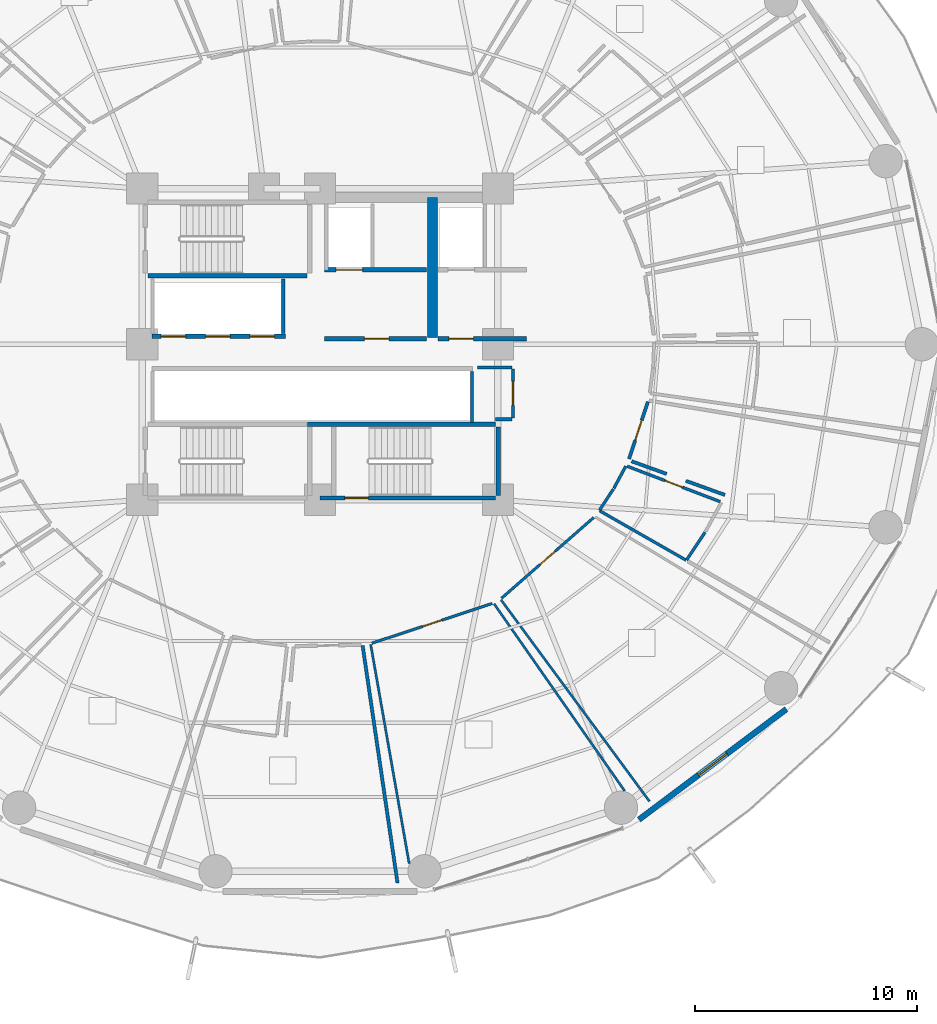
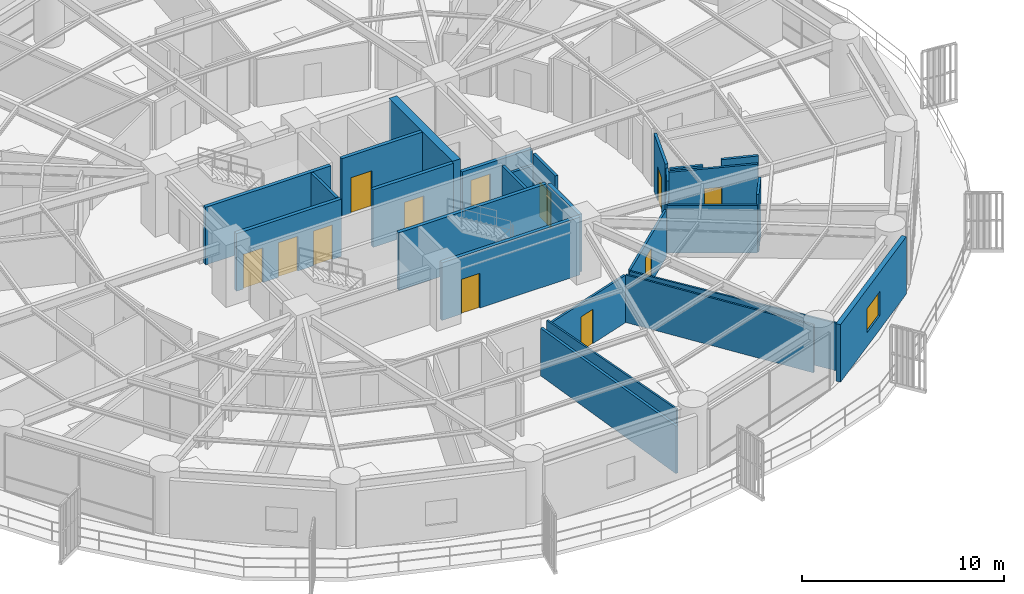
# One storey, part 24 of 33: 29 walls, 12 doors, 1 window, 13 openings.
"""IFC4 building model written with IfcOpenShell, lengths in metres."""

import ifcopenshell
import ifcopenshell.guid

model = None  # the IFC model being written
_history = None  # IfcOwnerHistory: only IFC2X3 demands one
_inside = {}  # id of a spatial element -> (the spatial element, [elements in it])
_under = {}  # id of a project, library or spatial element -> (it, [spatial elements below it])
_declared = {}  # id of a project -> (the project, [libraries it declares])
_typed = {}  # id of a type object -> (the type object, [elements of that type])
_made_of = {}  # id of a material, layer set ... -> (it, [elements and type objects made of it])


def new_model(schema):
    """Start an empty IFC model of exactly this schema.

    Asked for "IFC4X3", IfcOpenShell would pick the latest addendum, in which some entities
    have other attributes; the version numbers below select the first issue.
    IFC2X3 requires an IfcOwnerHistory on every rooted entity: one is made here for all.
    """
    global model, _history
    if schema == "IFC4X3":
        model = ifcopenshell.file(schema_version=(4, 3, 0, 0))
    else:
        model = ifcopenshell.file(schema=schema)
    _inside.clear()
    _under.clear()
    _declared.clear()
    _typed.clear()
    _made_of.clear()
    _history = None
    if model.schema == "IFC2X3":
        org = make("IfcOrganization", Name="unknown")
        user = make(
            "IfcPersonAndOrganization",
            ThePerson=make("IfcPerson", FamilyName="unknown"),
            TheOrganization=org,
        )
        app = make(
            "IfcApplication",
            ApplicationDeveloper=org,
            Version="unknown",
            ApplicationFullName="unknown",
            ApplicationIdentifier="unknown",
        )
        _history = make(
            "IfcOwnerHistory",
            OwningUser=user,
            OwningApplication=app,
            ChangeAction="ADDED",
            CreationDate=0,
        )
    return model


def make(cls, **values):
    """One entity of the class cls with the attributes given. An attribute that is None is left unset."""
    return model.create_entity(
        cls, **{name: value for name, value in values.items() if value is not None}
    )


def rooted(cls, **values):
    """An entity with a GlobalId (a new one), such as an element, a storey or a relation."""
    return make(cls, GlobalId=ifcopenshell.guid.new(), OwnerHistory=_history, **values)


def si_unit(unit_type, name, prefix=None):
    """IfcSIUnit, for example si_unit("LENGTHUNIT", "METRE", prefix="MILLI")."""
    return make("IfcSIUnit", UnitType=unit_type, Prefix=prefix, Name=name)


def assignment(units):
    """IfcUnitAssignment: the units of a project."""
    return None if units is None else make("IfcUnitAssignment", Units=units)


def point(xyz):
    """IfcCartesianPoint."""
    return None if xyz is None else make("IfcCartesianPoint", Coordinates=xyz)


def direction(xyz):
    """IfcDirection."""
    return None if xyz is None else make("IfcDirection", DirectionRatios=xyz)


def frame(location, z_axis=None, x_axis=None):
    """IfcAxis2Placement3D, a coordinate frame: its origin and axes. An axis left out is left unset."""
    return make(
        "IfcAxis2Placement3D",
        Location=point(location),
        Axis=direction(z_axis),
        RefDirection=direction(x_axis),
    )


def frame_2d(location, x_axis=None):
    """IfcAxis2Placement2D, a coordinate frame in the plane: its origin and x axis."""
    return make(
        "IfcAxis2Placement2D", Location=point(location), RefDirection=direction(x_axis)
    )


def origin():
    """The frame at (0, 0, 0) with its axes left unset."""
    return frame((0.0, 0.0, 0.0))


def place(relative_to, where):
    """IfcLocalPlacement: puts the frame where relative to a parent placement (None: the world)."""
    return make(
        "IfcLocalPlacement", PlacementRelTo=relative_to, RelativePlacement=where
    )


def context(
    kind, dimensions, precision=None, world=None, true_north=None, identifier=None
):
    """IfcGeometricRepresentationContext, for example the 3D "Model" context."""
    return make(
        "IfcGeometricRepresentationContext",
        ContextIdentifier=identifier,
        ContextType=kind,
        CoordinateSpaceDimension=dimensions,
        Precision=precision,
        WorldCoordinateSystem=world,
        TrueNorth=true_north,
    )


def subcontext(parent, identifier, kind, view, scale=None):
    """IfcGeometricRepresentationSubContext, for example "Body" below "Model"."""
    return make(
        "IfcGeometricRepresentationSubContext",
        ContextIdentifier=identifier,
        ContextType=kind,
        ParentContext=parent,
        TargetScale=scale,
        TargetView=view,
    )


def project(units=None, contexts=None):
    """IfcProject with its units and contexts."""
    return rooted(
        "IfcProject",
        Name="project",
        RepresentationContexts=contexts,
        UnitsInContext=assignment(units),
    )


def spatial(cls, under=None, at=None, **own):
    """A site, building, storey or space (cls), placed at a placement, below another one or the project."""
    s = rooted(cls, ObjectPlacement=at, **own)
    if under is not None:
        _under.setdefault(under.id(), (under, []))[1].append(s)
    return s


def profile(cls, at=None, kind="AREA", **sizes):
    """A parametric profile (cls). Its sizes go by their IFC names, for example OverallWidth=200.0."""
    return make(cls, ProfileType=kind, Position=at, **sizes)


def rectangle(**sizes):
    """IfcRectangleProfileDef."""
    return profile("IfcRectangleProfileDef", **sizes)


def extrude(swept, where, along, depth):
    """IfcExtrudedAreaSolid: the profile swept, set in the frame where, extruded along a direction by depth."""
    return make(
        "IfcExtrudedAreaSolid",
        SweptArea=swept,
        Position=where,
        ExtrudedDirection=direction(along),
        Depth=depth,
    )


def shape(context_of_items, identifier, shape_type, items):
    """IfcShapeRepresentation: the items that make up one representation, for example the "Body"."""
    return make(
        "IfcShapeRepresentation",
        ContextOfItems=context_of_items,
        RepresentationIdentifier=identifier,
        RepresentationType=shape_type,
        Items=items,
    )


def material(Name=None, Category=None):
    """IfcMaterial."""
    return make("IfcMaterial", Name=Name, Category=Category)


def layer(
    of_material, thickness, ventilated=None, Name=None, Category=None, Priority=None
):
    """IfcMaterialLayer: one layer of a wall or slab, of a material (None: an air gap)."""
    return make(
        "IfcMaterialLayer",
        Material=of_material,
        LayerThickness=thickness,
        IsVentilated=ventilated,
        Name=Name,
        Category=Category,
        Priority=Priority,
    )


def layer_set(layers, Name=None):
    """IfcMaterialLayerSet."""
    return make("IfcMaterialLayerSet", MaterialLayers=layers, LayerSetName=Name)


def made_of(thing, what):
    """Note that an element or type object is made of a material, layer set ...; save() writes the relation."""
    if what is not None:
        _made_of.setdefault(what.id(), (what, []))[1].append(thing)
    return thing


def type_object(cls, material=None, **own):
    """A type object (cls), such as IfcWallType, which elements share."""
    return made_of(rooted(cls, **own), material)


def element(
    cls,
    number,
    at=None,
    inside=None,
    cuts=None,
    type_object=None,
    material=None,
    context=None,
    identifier="Body",
    shape_type=None,
    held_by="IfcProductDefinitionShape",
    body=None,
    shapes=None,
    **own,
):
    """One element of the class cls, such as IfcWall. Its Tag is "e" and its number.

    at: its placement. inside: the storey or other place that contains it. cuts: it is an
    opening in that element (IfcRelVoidsElement). A single representation is given by context,
    identifier, shape_type and body (its items); several are given by shapes. held_by: the class
    of the entity that holds the representations. save() writes the other relations.
    """
    e = rooted(cls, Tag="e%d" % number, ObjectPlacement=at, **own)
    if body is not None:
        shapes = [shape(context, identifier, shape_type, body)]
    if shapes is not None:
        e.Representation = make(held_by, Representations=shapes)
    if inside is not None:
        _inside.setdefault(inside.id(), (inside, []))[1].append(e)
    if cuts is not None:
        rooted(
            "IfcRelVoidsElement", RelatingBuildingElement=cuts, RelatedOpeningElement=e
        )
    if type_object is not None:
        _typed.setdefault(type_object.id(), (type_object, []))[1].append(e)
    return made_of(e, material)


def fill(opening, filler):
    """IfcRelFillsElement: the door or window that sits in an opening."""
    return rooted(
        "IfcRelFillsElement",
        RelatingOpeningElement=opening,
        RelatedBuildingElement=filler,
    )


def aggregate(whole, parts):
    """IfcRelAggregates: a whole, such as a stair, and the parts it consists of."""
    return rooted("IfcRelAggregates", RelatingObject=whole, RelatedObjects=parts)


def save(model, path):
    """Write the relations noted so far, then the file.

    IfcRelAggregates (storeys below a building ...), IfcRelContainedInSpatialStructure (elements
    in a storey), IfcRelDefinesByType, IfcRelAssociatesMaterial and IfcRelDeclares: one each for
    every whole, place, type object, material and project.
    """
    for whole, parts in _under.values():
        aggregate(whole, parts)
    for where, things in _inside.values():
        rooted(
            "IfcRelContainedInSpatialStructure",
            RelatedElements=things,
            RelatingStructure=where,
        )
    for kind, things in _typed.values():
        rooted("IfcRelDefinesByType", RelatedObjects=things, RelatingType=kind)
    for what, things in _made_of.values():
        rooted("IfcRelAssociatesMaterial", RelatedObjects=things, RelatingMaterial=what)
    for by, libraries in _declared.values():
        rooted("IfcRelDeclares", RelatingContext=by, RelatedDefinitions=libraries)
    model.write(path)


model = new_model("IFC4")

# Units and contexts
model_context = context("Model", 3, precision=1e-05, world=origin(), true_north=direction((0.0, 1.0)))
body_context = subcontext(model_context, "Body", "Model", "MODEL_VIEW")
ifc_project = project(units=[si_unit("LENGTHUNIT", "METRE"), si_unit("AREAUNIT", "SQUARE_METRE"), si_unit("VOLUMEUNIT", "CUBIC_METRE"), si_unit("PLANEANGLEUNIT", "RADIAN"), si_unit("MASSUNIT", "GRAM", prefix="KILO")], contexts=[model_context])

# Site, building, storey
site_placement = place(None, origin())
site = spatial("IfcSite", under=ifc_project, at=site_placement, CompositionType="ELEMENT")
building_placement = place(site_placement, origin())
building = spatial("IfcBuilding", under=site, at=building_placement, Name="Kelanora Arch Commons", CompositionType="ELEMENT")
storey_placement = place(building_placement, frame((0.0, 0.0, 41.25)))
storey = spatial("IfcBuildingStorey", under=building, at=storey_placement, Name="L10", CompositionType="ELEMENT", Elevation=41.25)

# Walls
ifc_material_1 = material(Name="Autoclaved aerated concrete blockwork with fire plaster", Category="masonry")
ifc_layer_1 = layer(ifc_material_1, 0.14990234375)
ifc_layer_set_1 = layer_set([ifc_layer_1], Name="Autoclaved aerated concrete blockwork with fire plaster")
wall_type_1 = type_object("IfcWallType", Name="W-COMP-150", PredefinedType="PARTITIONING", material=ifc_layer_set_1)
wall_1_placement = place(storey_placement, frame((72.340087890625, 58.47998046875, 0.0), z_axis=(0.0, 0.0, 1.0), x_axis=(0.0, 1.0, 0.0)))
element("IfcWall", 1, at=wall_1_placement, inside=storey, type_object=wall_type_1, Name="Low-Rise Lift Bank East Wall L10", PredefinedType="PARTITIONING", context=body_context, shape_type="SweptSolid", body=[
    extrude(rectangle(XDim=2.4599609375, YDim=0.14990234375, at=frame_2d((1.22998046875, 0.0))), origin(), (0.0, 0.0, 1.0), 3.47998046875),
])
wall_2_placement = place(storey_placement, frame((80.840087890625, 54.47998046875, 0.0), z_axis=(0.0, 0.0, 1.0), x_axis=(0.0, 1.0, 0.0)))
element("IfcWall", 2, at=wall_2_placement, inside=storey, type_object=wall_type_1, Name="South Lift Bank East Wall L10", PredefinedType="PARTITIONING", context=body_context, shape_type="SweptSolid", body=[
    extrude(rectangle(XDim=2.2900390625, YDim=0.14990234375, at=frame_2d((1.14501953125, 0.0))), origin(), (0.0, 0.0, 1.0), 3.47998046875),
])

# Wall, opening, door
wall_3_placement = place(storey_placement, frame((82.679931640625, 54.679931640625, 0.0), z_axis=(0.0, 0.0, 1.0), x_axis=(0.0, 1.0, 0.0)))
wall_3 = element("IfcWall", 3, at=wall_3_placement, inside=storey, type_object=wall_type_1, Name="Core Housekeeping Store L10 Entry Partition", PredefinedType="PARTITIONING", context=body_context, shape_type="SweptSolid", body=[
    extrude(rectangle(XDim=2.2099609375, YDim=0.14990234375, at=frame_2d((1.10498046875, 0.0))), origin(), (0.0, 0.0, 1.0), 3.47998046875),
])
opening_1_placement = place(wall_3_placement, frame((0.56494140625, 0.0, 0.0)))
opening_1 = element("IfcOpeningElement", 4, at=opening_1_placement, cuts=wall_3, Name="Opening D-PLT1", PredefinedType="OPENING", context=body_context, shape_type="SweptSolid", body=[
    extrude(rectangle(XDim=1.080078125, YDim=2.10009765625, at=frame_2d((0.5400390625, 1.050048828125))), frame((0.0, 0.0849609375, 0.0), z_axis=(0.0, -1.0, 0.0), x_axis=(1.0, 0.0, 0.0)), (0.0, 0.0, 1.0), 0.169921875),
])
ifc_material_2 = material(Name="Galvanised steel plant and riser fire door", Category="steel")
door_type_1 = type_object("IfcDoorType", Name="D-PLT-110", OperationType="NOTDEFINED", PredefinedType="DOOR", material=ifc_material_2)
door_1_placement = place(opening_1_placement, origin())
door_1 = element("IfcDoor", 5, at=door_1_placement, inside=storey, type_object=door_type_1, Name="Core Housekeeping Store L10 Door", OperationType="SINGLE_SWING_RIGHT", OverallHeight=2.10009765625, OverallWidth=1.080078125, PredefinedType="DOOR", context=body_context, shape_type="SweptSolid", body=[
    extrude(rectangle(XDim=1.080078125, YDim=2.10009765625, at=frame_2d((0.5400390625, 1.050048828125))), frame((0.0, 0.02490234375, 0.0), z_axis=(0.0, -1.0, 0.0), x_axis=(1.0, 0.0, 0.0)), (0.0, 0.0, 1.0), 0.050048828125),
])
fill(opening_1, door_1)

wall_4_placement = place(storey_placement, frame((87.90380859375, 52.840087890625, 0.0), z_axis=(0.0, 0.0, 1.0), x_axis=(0.312600839021, 0.949884580064, 0.0)))
wall_4 = element("IfcWall", 6, at=wall_4_placement, inside=storey, type_object=wall_type_1, Name="Co-Living Studio L10-14 Entry Partition", PredefinedType="PARTITIONING", context=body_context, shape_type="SweptSolid", body=[
    extrude(rectangle(XDim=2.707763671875, YDim=0.14990234375, at=frame_2d((1.35400390625, 0.0))), origin(), (0.0, 0.0, 1.0), 3.47998046875),
])
opening_2_placement = place(wall_4_placement, frame((0.87890625, 0.0, 0.0)))
opening_2 = element("IfcOpeningElement", 7, at=opening_2_placement, cuts=wall_4, Name="Opening D-CLU1", PredefinedType="OPENING", context=body_context, shape_type="SweptSolid", body=[
    extrude(rectangle(XDim=0.949951171875, YDim=2.080078125, at=frame_2d((0.47509765625, 1.0400390625))), frame((0.0, 0.0849609375, 0.0), z_axis=(0.0, -1.0, 0.0), x_axis=(1.0, 0.0, 0.0)), (0.0, 0.0, 1.0), 0.169921875),
])
ifc_material_3 = material(Name="Solid-core acoustic timber cluster entry fire door", Category="wood")
door_type_2 = type_object("IfcDoorType", Name="D-CLU-95", OperationType="NOTDEFINED", PredefinedType="DOOR", material=ifc_material_3)
door_2_placement = place(opening_2_placement, origin())
door_2 = element("IfcDoor", 8, at=door_2_placement, inside=storey, type_object=door_type_2, Name="Co-Living Studio L10-14 Door", OperationType="SINGLE_SWING_RIGHT", OverallHeight=2.080078125, OverallWidth=0.949951171875, PredefinedType="DOOR", context=body_context, shape_type="SweptSolid", body=[
    extrude(rectangle(XDim=0.949951171875, YDim=2.080078125, at=frame_2d((0.47509765625, 1.0400390625))), frame((0.0, 0.02490234375, 0.0), z_axis=(0.0, -1.0, 0.0), x_axis=(1.0, 0.0, 0.0)), (0.0, 0.0, 1.0), 0.050048828125),
])
fill(opening_2, door_2)

# Walls
wall_5_placement = place(storey_placement, frame((81.89990234375, 54.6201171875, 0.0), z_axis=(0.0, 0.0, 1.0), x_axis=(1.0, 0.0, 0.0)))
element("IfcWall", 9, at=wall_5_placement, inside=storey, type_object=wall_type_1, Name="Core Housekeeping Store L10 Enclosure Partition 1", PredefinedType="PARTITIONING", context=body_context, shape_type="SweptSolid", body=[
    extrude(rectangle(XDim=0.739990234375, YDim=0.14990234375, at=frame_2d((0.3701171875, 0.0))), origin(), (0.0, 0.0, 1.0), 2.77490234375),
])
wall_6_placement = place(storey_placement, frame((82.639892578125, 56.949951171875, 0.0), z_axis=(0.0, 0.0, 1.0), x_axis=(-1.0, 0.0, 0.0)))
element("IfcWall", 10, at=wall_6_placement, inside=storey, type_object=wall_type_1, Name="Core Housekeeping Store L10 Enclosure Partition 3", PredefinedType="PARTITIONING", context=body_context, shape_type="SweptSolid", body=[
    extrude(rectangle(XDim=1.5498046875, YDim=0.14990234375, at=frame_2d((0.77490234375, 0.0))), origin(), (0.0, 0.0, 1.0), 2.77490234375),
])
wall_7_placement = place(storey_placement, frame((75.915771484375, 44.4404296875, 0.0), z_axis=(0.0, 0.0, 1.0), x_axis=(0.145430849227, -0.989368418787, 0.0)))
element("IfcWall", 11, at=wall_7_placement, inside=storey, type_object=wall_type_1, Name="Co-Living Studio L10-11 Enclosure Partition 2", PredefinedType="PARTITIONING", context=body_context, shape_type="SweptSolid", body=[
    extrude(rectangle(XDim=10.797607421875, YDim=0.14990234375, at=frame_2d((5.39892578125, 0.0))), origin(), (0.0, 0.0, 1.0), 2.875),
])
wall_8_placement = place(storey_placement, frame((92.218505859375, 51.218505859375, 0.0), z_axis=(0.0, 0.0, 1.0), x_axis=(-0.940607228955, 0.339496746433, 0.0)))
element("IfcWall", 12, at=wall_8_placement, inside=storey, type_object=wall_type_1, Name="Co-Living Studio L10-14 Enclosure Partition 7", PredefinedType="PARTITIONING", context=body_context, shape_type="SweptSolid", body=[
    extrude(rectangle(XDim=1.868408203125, YDim=0.14990234375, at=frame_2d((0.93408203125, 0.0))), origin(), (0.0, 0.0, 1.0), 3.47998046875),
])
wall_9_placement = place(storey_placement, frame((89.595703125, 52.165283203125, 0.0), z_axis=(0.0, 0.0, 1.0), x_axis=(-0.940530649561, 0.339708841856, 0.0)))
element("IfcWall", 13, at=wall_9_placement, inside=storey, type_object=wall_type_1, Name="Co-Living Studio L10-14 Enclosure Partition 7", PredefinedType="PARTITIONING", context=body_context, shape_type="SweptSolid", body=[
    extrude(rectangle(XDim=1.677490234375, YDim=0.14990234375, at=frame_2d((0.8388671875, 0.0))), origin(), (0.0, 0.0, 1.0), 3.235107421875),
])
ifc_material_4 = material(Name="Concrete C60/75", Category="concrete")
ifc_layer_2 = layer(ifc_material_4, 0.449951171875)
ifc_layer_set_2 = layer_set([ifc_layer_2], Name="Concrete C60/75")
wall_type_2 = type_object("IfcWallType", Name="W-CORE-450", PredefinedType="SHEAR", material=ifc_layer_set_2)
wall_10_placement = place(storey_placement, frame((79.050048828125, 58.300048828125, 0.0), z_axis=(0.0, 0.0, 1.0), x_axis=(0.0, 1.0, 0.0)))
element("IfcWall", 14, at=wall_10_placement, inside=storey, type_object=wall_type_2, Name="Core Shear Spine L10-CE-N", PredefinedType="SHEAR", context=body_context, shape_type="SweptSolid", body=[
    extrude(rectangle(XDim=6.300048828125, YDim=0.449951171875, at=frame_2d((3.14990234375, 0.0))), origin(), (0.0, 0.0, 1.0), 3.489990234375),
])

# Wall, opening, window
ifc_material_5 = material(Name="Precast concrete C40/50 with terracotta rainscreen", Category="masonry")
ifc_layer_3 = layer(ifc_material_5, 0.260009765625)
ifc_layer_set_3 = layer_set([ifc_layer_3], Name="Precast concrete C40/50 with terracotta rainscreen")
wall_type_3 = type_object("IfcWallType", Name="W-EXT-TC", PredefinedType="SOLIDWALL", material=ifc_layer_set_3)
wall_11_placement = place(storey_placement, frame((88.348876953125, 36.61083984375, 0.0), z_axis=(0.0, 0.0, 1.0), x_axis=(0.80030733173, 0.599590005569, 0.0)))
wall_11 = element("IfcWall", 15, at=wall_11_placement, inside=storey, type_object=wall_type_3, Name="Terracotta Exterior Wall L10-B15", PredefinedType="SOLIDWALL", context=body_context, shape_type="SweptSolid", body=[
    extrude(rectangle(XDim=8.29052734375, YDim=0.260009765625, at=frame_2d((4.145263671875, 0.0))), origin(), (0.0, 0.0, 1.0), 3.47509765625),
])
opening_3_placement = place(wall_11_placement, frame((3.344970703125, 0.0, 0.85009765625)))
opening_3 = element("IfcOpeningElement", 16, at=opening_3_placement, cuts=wall_11, Name="Opening WN-01", PredefinedType="OPENING", context=body_context, shape_type="SweptSolid", body=[
    extrude(rectangle(XDim=1.60009765625, YDim=1.449951171875, at=frame_2d((0.800048828125, 0.72509765625))), frame((0.0, 0.14013671875, 0.0), z_axis=(0.0, -1.0, 0.0), x_axis=(1.0, 0.0, 0.0)), (0.0, 0.0, 1.0), 0.280029296875),
])
ifc_material_6 = material(Name="Terracotta-anodised aluminium frame with operable low-E glazing", Category="masonry")
window_type = type_object("IfcWindowType", Name="WIN-CL-18", PartitioningType="DOUBLE_PANEL_VERTICAL", PredefinedType="WINDOW", material=ifc_material_6)
window_placement = place(opening_3_placement, origin())
window = element("IfcWindow", 17, at=window_placement, inside=storey, type_object=window_type, Name="Co-Living Operable Window L10-B15", OverallHeight=1.449951171875, OverallWidth=1.60009765625, PartitioningType="SINGLE_PANEL", PredefinedType="WINDOW", context=body_context, shape_type="SweptSolid", body=[
    extrude(rectangle(XDim=1.60009765625, YDim=1.449951171875, at=frame_2d((0.800048828125, 0.72509765625))), frame((0.0, 0.030029296875, 0.0), z_axis=(0.0, -1.0, 0.0), x_axis=(1.0, 0.0, 0.0)), (0.0, 0.0, 1.0), 0.06005859375),
])
fill(opening_3, window)

# Wall, opening, door
ifc_material_7 = material(Name="Concrete C40/50", Category="concrete")
ifc_layer_4 = layer(ifc_material_7, 0.199951171875)
ifc_layer_set_4 = layer_set([ifc_layer_4], Name="Concrete C40/50")
wall_type_4 = type_object("IfcWallType", Name="W-FFL-200", PredefinedType="SOLIDWALL", material=ifc_layer_set_4)
wall_12_placement = place(storey_placement, frame((74.199951171875, 61.35009765625, 0.0), z_axis=(0.0, 0.0, 1.0), x_axis=(1.0, 0.0, 0.0)))
wall_12 = element("IfcWall", 18, at=wall_12_placement, inside=storey, type_object=wall_type_4, Name="Firefighting Lift 1 Shaft Front L10", PredefinedType="SOLIDWALL", context=body_context, shape_type="SweptSolid", body=[
    extrude(rectangle(XDim=4.60009765625, YDim=0.199951171875, at=frame_2d((2.300048828125, 0.0))), origin(), (0.0, 0.0, 1.0), 3.47998046875),
])
opening_4_placement = place(wall_12_placement, frame((0.52001953125, 0.0, 0.0)))
opening_4 = element("IfcOpeningElement", 19, at=opening_4_placement, cuts=wall_12, Name="Opening LD-FF", PredefinedType="OPENING", context=body_context, shape_type="SweptSolid", body=[
    extrude(rectangle(XDim=1.199951171875, YDim=2.14990234375, at=frame_2d((0.60009765625, 1.074951171875))), frame((0.0, 0.10986328125, 0.0), z_axis=(0.0, -1.0, 0.0), x_axis=(1.0, 0.0, 0.0)), (0.0, 0.0, 1.0), 0.219970703125),
])
ifc_material_8 = material(Name="Fire-rated firefighters lift sliding landing door")
door_type_3 = type_object("IfcDoorType", Name="D-LIFT-FF", OperationType="NOTDEFINED", PredefinedType="DOOR", material=ifc_material_8)
door_3_placement = place(opening_4_placement, origin())
door_3 = element("IfcDoor", 20, at=door_3_placement, inside=storey, type_object=door_type_3, Name="Firefighting Lift LF-FF1 Landing Door L10", OperationType="DOUBLE_DOOR_SLIDING", OverallHeight=2.14990234375, OverallWidth=1.199951171875, PredefinedType="DOOR", context=body_context, shape_type="SweptSolid", body=[
    extrude(rectangle(XDim=1.199951171875, YDim=2.14990234375, at=frame_2d((0.60009765625, 1.074951171875))), frame((0.0, 0.02490234375, 0.0), z_axis=(0.0, -1.0, 0.0), x_axis=(1.0, 0.0, 0.0)), (0.0, 0.0, 1.0), 0.050048828125),
])
fill(opening_4, door_3)

wall_13_placement = place(storey_placement, frame((74.199951171875, 58.25, 0.0), z_axis=(0.0, 0.0, 1.0), x_axis=(1.0, 0.0, 0.0)))
wall_13 = element("IfcWall", 21, at=wall_13_placement, inside=storey, type_object=wall_type_4, Name="Firefighting Lobby 1 Enclosure Wall L10", PredefinedType="SOLIDWALL", context=body_context, shape_type="SweptSolid", body=[
    extrude(rectangle(XDim=4.60009765625, YDim=0.199951171875, at=frame_2d((2.300048828125, 0.0))), origin(), (0.0, 0.0, 1.0), 3.47998046875),
])
opening_5_placement = place(wall_13_placement, frame((1.800048828125, 0.0, 0.0)))
opening_5 = element("IfcOpeningElement", 22, at=opening_5_placement, cuts=wall_13, Name="Opening D-FFL1", PredefinedType="OPENING", context=body_context, shape_type="SweptSolid", body=[
    extrude(rectangle(XDim=1.10009765625, YDim=2.10009765625, at=frame_2d((0.550048828125, 1.050048828125))), frame((0.0, 0.10986328125, 0.0), z_axis=(0.0, -1.0, 0.0), x_axis=(1.0, 0.0, 0.0)), (0.0, 0.0, 1.0), 0.219970703125),
])
ifc_material_9 = material(Name="Smoke-sealed firefighting lobby fire door")
door_type_4 = type_object("IfcDoorType", Name="D-FFL-110", OperationType="NOTDEFINED", PredefinedType="DOOR", material=ifc_material_9)
door_4_placement = place(opening_5_placement, frame((1.10009765625, 0.0, 0.0), z_axis=(0.0, 0.0, 1.0), x_axis=(-1.0, 0.0, 0.0)))
door_4 = element("IfcDoor", 23, at=door_4_placement, inside=storey, type_object=door_type_4, Name="Firefighting Lobby 1 Door L10", OperationType="SINGLE_SWING_LEFT", OverallHeight=2.10009765625, OverallWidth=1.10009765625, PredefinedType="DOOR", context=body_context, shape_type="SweptSolid", body=[
    extrude(rectangle(XDim=1.10009765625, YDim=2.10009765625, at=frame_2d((0.550048828125, 1.050048828125))), frame((0.0, 0.02490234375, 0.0), z_axis=(0.0, -1.0, 0.0), x_axis=(1.0, 0.0, 0.0)), (0.0, 0.0, 1.0), 0.050048828125),
])
fill(opening_5, door_4)

wall_14_placement = place(storey_placement, frame((79.300048828125, 58.25, 0.0), z_axis=(0.0, 0.0, 1.0), x_axis=(1.0, 0.0, 0.0)))
wall_14 = element("IfcWall", 24, at=wall_14_placement, inside=storey, type_object=wall_type_4, Name="Firefighting Lobby 2 Enclosure Wall L10", PredefinedType="SOLIDWALL", context=body_context, shape_type="SweptSolid", body=[
    extrude(rectangle(XDim=4.0, YDim=0.199951171875, at=frame_2d((2.0, 0.0))), origin(), (0.0, 0.0, 1.0), 2.77490234375),
])
opening_6_placement = place(wall_14_placement, frame((0.5, 0.0, 0.0)))
opening_6 = element("IfcOpeningElement", 25, at=opening_6_placement, cuts=wall_14, Name="Opening D-FFL1", PredefinedType="OPENING", context=body_context, shape_type="SweptSolid", body=[
    extrude(rectangle(XDim=1.10009765625, YDim=2.10009765625, at=frame_2d((0.550048828125, 1.050048828125))), frame((0.0, 0.10986328125, 0.0), z_axis=(0.0, -1.0, 0.0), x_axis=(1.0, 0.0, 0.0)), (0.0, 0.0, 1.0), 0.219970703125),
])
door_5_placement = place(opening_6_placement, frame((1.10009765625, 0.0, 0.0), z_axis=(0.0, 0.0, 1.0), x_axis=(-1.0, 0.0, 0.0)))
door_5 = element("IfcDoor", 26, at=door_5_placement, inside=storey, type_object=door_type_4, Name="Firefighting Lobby 2 Door L10", OperationType="SINGLE_SWING_RIGHT", OverallHeight=2.10009765625, OverallWidth=1.10009765625, PredefinedType="DOOR", context=body_context, shape_type="SweptSolid", body=[
    extrude(rectangle(XDim=1.10009765625, YDim=2.10009765625, at=frame_2d((0.550048828125, 1.050048828125))), frame((0.0, 0.02490234375, 0.0), z_axis=(0.0, -1.0, 0.0), x_axis=(1.0, 0.0, 0.0)), (0.0, 0.0, 1.0), 0.050048828125),
])
fill(opening_6, door_5)

# Wall, openings, doors
wall_15_placement = place(storey_placement, frame((66.449951171875, 58.35009765625, 0.0), z_axis=(0.0, 0.0, 1.0), x_axis=(1.0, 0.0, 0.0)))
wall_15 = element("IfcWall", 27, at=wall_15_placement, inside=storey, type_object=wall_type_4, Name="Low-Rise Passenger Lift Shaft Front L10", PredefinedType="SOLIDWALL", context=body_context, shape_type="SweptSolid", body=[
    extrude(rectangle(XDim=6.0, YDim=0.199951171875, at=frame_2d((3.0, 0.0))), origin(), (0.0, 0.0, 1.0), 3.47998046875),
])
opening_7_placement = place(wall_15_placement, frame((0.39990234375, 0.0, 0.0)))
opening_7 = element("IfcOpeningElement", 28, at=opening_7_placement, cuts=wall_15, Name="Opening LD-01", PredefinedType="OPENING", context=body_context, shape_type="SweptSolid", body=[
    extrude(rectangle(XDim=1.10009765625, YDim=2.10009765625, at=frame_2d((0.550048828125, 1.050048828125))), frame((0.0, 0.10986328125, 0.0), z_axis=(0.0, -1.0, 0.0), x_axis=(1.0, 0.0, 0.0)), (0.0, 0.0, 1.0), 0.219970703125),
])
opening_8_placement = place(wall_15_placement, frame((2.39990234375, 0.0, 0.0)))
opening_8 = element("IfcOpeningElement", 29, at=opening_8_placement, cuts=wall_15, Name="Opening LD-01", PredefinedType="OPENING", context=body_context, shape_type="SweptSolid", body=[
    extrude(rectangle(XDim=1.10009765625, YDim=2.10009765625, at=frame_2d((0.550048828125, 1.050048828125))), frame((0.0, 0.10986328125, 0.0), z_axis=(0.0, -1.0, 0.0), x_axis=(1.0, 0.0, 0.0)), (0.0, 0.0, 1.0), 0.219970703125),
])
opening_9_placement = place(wall_15_placement, frame((4.39990234375, 0.0, 0.0)))
opening_9 = element("IfcOpeningElement", 30, at=opening_9_placement, cuts=wall_15, Name="Opening LD-01", PredefinedType="OPENING", context=body_context, shape_type="SweptSolid", body=[
    extrude(rectangle(XDim=1.10009765625, YDim=2.10009765625, at=frame_2d((0.550048828125, 1.050048828125))), frame((0.0, 0.10986328125, 0.0), z_axis=(0.0, -1.0, 0.0), x_axis=(1.0, 0.0, 0.0)), (0.0, 0.0, 1.0), 0.219970703125),
])
ifc_material_10 = material(Name="Stainless steel passenger lift sliding landing door", Category="steel")
door_type_5 = type_object("IfcDoorType", Name="D-LIFT-110", OperationType="NOTDEFINED", PredefinedType="DOOR", material=ifc_material_10)
door_6_placement = place(opening_7_placement, origin())
door_6 = element("IfcDoor", 31, at=door_6_placement, inside=storey, type_object=door_type_5, Name="Passenger Lift LF-P1 Landing Door L10", OperationType="DOUBLE_DOOR_SLIDING", OverallHeight=2.10009765625, OverallWidth=1.10009765625, PredefinedType="DOOR", context=body_context, shape_type="SweptSolid", body=[
    extrude(rectangle(XDim=1.10009765625, YDim=2.10009765625, at=frame_2d((0.550048828125, 1.050048828125))), frame((0.0, 0.02490234375, 0.0), z_axis=(0.0, -1.0, 0.0), x_axis=(1.0, 0.0, 0.0)), (0.0, 0.0, 1.0), 0.050048828125),
])
fill(opening_7, door_6)
door_7_placement = place(opening_8_placement, origin())
door_7 = element("IfcDoor", 32, at=door_7_placement, inside=storey, type_object=door_type_5, Name="Passenger Lift LF-P2 Landing Door L10", OperationType="DOUBLE_DOOR_SLIDING", OverallHeight=2.10009765625, OverallWidth=1.10009765625, PredefinedType="DOOR", context=body_context, shape_type="SweptSolid", body=[
    extrude(rectangle(XDim=1.10009765625, YDim=2.10009765625, at=frame_2d((0.550048828125, 1.050048828125))), frame((0.0, 0.02490234375, 0.0), z_axis=(0.0, -1.0, 0.0), x_axis=(1.0, 0.0, 0.0)), (0.0, 0.0, 1.0), 0.050048828125),
])
fill(opening_8, door_7)
door_8_placement = place(opening_9_placement, origin())
door_8 = element("IfcDoor", 33, at=door_8_placement, inside=storey, type_object=door_type_5, Name="Passenger Lift LF-P3 Landing Door L10", OperationType="DOUBLE_DOOR_SLIDING", OverallHeight=2.10009765625, OverallWidth=1.10009765625, PredefinedType="DOOR", context=body_context, shape_type="SweptSolid", body=[
    extrude(rectangle(XDim=1.10009765625, YDim=2.10009765625, at=frame_2d((0.550048828125, 1.050048828125))), frame((0.0, 0.02490234375, 0.0), z_axis=(0.0, -1.0, 0.0), x_axis=(1.0, 0.0, 0.0)), (0.0, 0.0, 1.0), 0.050048828125),
])
fill(opening_9, door_8)

# Walls
ifc_material_11 = material(Name="Lightweight fire-rated acoustic stud partition")
ifc_layer_5 = layer(ifc_material_11, 0.10009765625)
ifc_layer_set_5 = layer_set([ifc_layer_5], Name="Lightweight fire-rated acoustic stud partition")
wall_type_5 = type_object("IfcWallType", Name="W-PART-100", PredefinedType="PARTITIONING", material=ifc_layer_set_5)
wall_16_placement = place(storey_placement, frame((81.830810546875, 46.3212890625, 0.0), z_axis=(0.0, 0.0, 1.0), x_axis=(0.572190897837, -0.820120464586, 0.0)))
element("IfcWall", 34, at=wall_16_placement, inside=storey, type_object=wall_type_5, Name="Quiet Seminar Study Room L10-12 Enclosure Partition 2", PredefinedType="PARTITIONING", context=body_context, shape_type="SweptSolid", body=[
    extrude(rectangle(XDim=10.263671875, YDim=0.10009765625, at=frame_2d((5.1318359375, 0.0))), origin(), (0.0, 0.0, 1.0), 2.875),
])
wall_17_placement = place(storey_placement, frame((78.010498046875, 34.63525390625, 0.0), z_axis=(0.0, 0.0, 1.0), x_axis=(-0.173016726169, 0.984918886237, 0.0)))
element("IfcWall", 35, at=wall_17_placement, inside=storey, type_object=wall_type_5, Name="Quiet Seminar Study Room L10-12 Enclosure Partition 4", PredefinedType="PARTITIONING", context=body_context, shape_type="SweptSolid", body=[
    extrude(rectangle(XDim=10.003173828125, YDim=0.10009765625, at=frame_2d((5.00146484375, 0.0))), origin(), (0.0, 0.0, 1.0), 3.175048828125),
])
wall_18_placement = place(storey_placement, frame((88.822265625, 37.43212890625, 0.0), z_axis=(0.0, 0.0, 1.0), x_axis=(-0.593112501052, 0.805119594281, 0.0)))
element("IfcWall", 36, at=wall_18_placement, inside=storey, type_object=wall_type_5, Name="Quiet Seminar Study Room L10-13 Enclosure Partition 4", PredefinedType="PARTITIONING", context=body_context, shape_type="SweptSolid", body=[
    extrude(rectangle(XDim=11.260009765625, YDim=0.10009765625, at=frame_2d((5.6298828125, 0.0))), origin(), (0.0, 0.0, 1.0), 2.875),
])

# Wall, opening, door
ifc_material_12 = material(Name="Acoustic twin-stud fire-rated gypsum partition")
ifc_layer_6 = layer(ifc_material_12, 0.1201171875)
ifc_layer_set_6 = layer_set([ifc_layer_6], Name="Acoustic twin-stud fire-rated gypsum partition")
wall_type_6 = type_object("IfcWallType", Name="W-PART-120", PredefinedType="PARTITIONING", material=ifc_layer_set_6)
wall_19_placement = place(storey_placement, frame((76.330078125, 44.5458984375, 0.0), z_axis=(0.0, 0.0, 1.0), x_axis=(0.949607265123, 0.313442246716, 0.0)))
wall_19 = element("IfcWall", 37, at=wall_19_placement, inside=storey, type_object=wall_type_6, Name="Quiet Seminar Study Room L10-12 Entry Partition", PredefinedType="PARTITIONING", context=body_context, shape_type="SweptSolid", body=[
    extrude(rectangle(XDim=5.70849609375, YDim=0.1201171875, at=frame_2d((2.854248046875, 0.0))), origin(), (0.0, 0.0, 1.0), 2.875),
])
opening_10_placement = place(wall_19_placement, frame((2.404052734375, 0.0, 0.0)))
opening_10 = element("IfcOpeningElement", 38, at=opening_10_placement, cuts=wall_19, Name="Opening D-RM1", PredefinedType="OPENING", context=body_context, shape_type="SweptSolid", body=[
    extrude(rectangle(XDim=0.89990234375, YDim=2.080078125, at=frame_2d((0.449951171875, 1.0400390625))), frame((0.0, 0.070068359375, 0.0), z_axis=(0.0, -1.0, 0.0), x_axis=(1.0, 0.0, 0.0)), (0.0, 0.0, 1.0), 0.14013671875),
])
ifc_material_13 = material(Name="Acoustic fire-rated timber study and lounge door", Category="wood")
door_type_6 = type_object("IfcDoorType", Name="D-ROOM-90", OperationType="NOTDEFINED", PredefinedType="DOOR", material=ifc_material_13)
door_9_placement = place(opening_10_placement, origin())
door_9 = element("IfcDoor", 39, at=door_9_placement, inside=storey, type_object=door_type_6, Name="Quiet Seminar Study Room L10-12 Door", OperationType="SINGLE_SWING_LEFT", OverallHeight=2.080078125, OverallWidth=0.89990234375, PredefinedType="DOOR", context=body_context, shape_type="SweptSolid", body=[
    extrude(rectangle(XDim=0.89990234375, YDim=2.080078125, at=frame_2d((0.449951171875, 1.0400390625))), frame((0.0, 0.02490234375, 0.0), z_axis=(0.0, -1.0, 0.0), x_axis=(1.0, 0.0, 0.0)), (0.0, 0.0, 1.0), 0.050048828125),
])
fill(opening_10, door_9)

wall_20_placement = place(storey_placement, frame((82.1650390625, 46.569580078125, 0.0), z_axis=(0.0, 0.0, 1.0), x_axis=(0.752285806045, 0.658836903963, 0.0)))
wall_20 = element("IfcWall", 40, at=wall_20_placement, inside=storey, type_object=wall_type_6, Name="Quiet Seminar Study Room L10-13 Entry Partition", PredefinedType="PARTITIONING", context=body_context, shape_type="SweptSolid", body=[
    extrude(rectangle(XDim=5.512451171875, YDim=0.1201171875, at=frame_2d((2.75634765625, 0.0))), origin(), (0.0, 0.0, 1.0), 2.875),
])
opening_11_placement = place(wall_20_placement, frame((2.305908203125, 0.0, 0.0)))
opening_11 = element("IfcOpeningElement", 41, at=opening_11_placement, cuts=wall_20, Name="Opening D-RM1", PredefinedType="OPENING", context=body_context, shape_type="SweptSolid", body=[
    extrude(rectangle(XDim=0.89990234375, YDim=2.080078125, at=frame_2d((0.449951171875, 1.0400390625))), frame((0.0, 0.070068359375, 0.0), z_axis=(0.0, -1.0, 0.0), x_axis=(1.0, 0.0, 0.0)), (0.0, 0.0, 1.0), 0.14013671875),
])
door_10_placement = place(opening_11_placement, origin())
door_10 = element("IfcDoor", 42, at=door_10_placement, inside=storey, type_object=door_type_6, Name="Quiet Seminar Study Room L10-13 Door", OperationType="SINGLE_SWING_RIGHT", OverallHeight=2.080078125, OverallWidth=0.89990234375, PredefinedType="DOOR", context=body_context, shape_type="SweptSolid", body=[
    extrude(rectangle(XDim=0.89990234375, YDim=2.080078125, at=frame_2d((0.449951171875, 1.0400390625))), frame((0.0, 0.02490234375, 0.0), z_axis=(0.0, -1.0, 0.0), x_axis=(1.0, 0.0, 0.0)), (0.0, 0.0, 1.0), 0.050048828125),
])
fill(opening_11, door_10)

# Wall
ifc_layer_7 = layer(ifc_material_7, 0.199951171875)
ifc_layer_set_7 = layer_set([ifc_layer_7], Name="Concrete C40/50")
wall_type_7 = type_object("IfcWallType", Name="W-STAIR-200", PredefinedType="SHEAR", material=ifc_layer_set_7)
wall_21_placement = place(storey_placement, frame((66.260009765625, 61.080078125, 0.0), z_axis=(0.0, 0.0, 1.0), x_axis=(1.0, 0.0, 0.0)))
element("IfcWall", 43, at=wall_21_placement, inside=storey, type_object=wall_type_7, Name="Stair ST-T1 Shaft Wall S L10", PredefinedType="SHEAR", context=body_context, shape_type="SweptSolid", body=[
    extrude(rectangle(XDim=7.159912109375, YDim=0.199951171875, at=frame_2d((3.580078125, 0.0))), origin(), (0.0, 0.0, 1.0), 3.489990234375),
])

# Wall, opening, door
wall_22_placement = place(storey_placement, frame((74.0, 51.080078125, 0.0), z_axis=(0.0, 0.0, 1.0), x_axis=(1.0, 0.0, 0.0)))
wall_22 = element("IfcWall", 44, at=wall_22_placement, inside=storey, type_object=wall_type_7, Name="Stair ST-T2 Shaft Wall S L10", PredefinedType="SHEAR", context=body_context, shape_type="SweptSolid", body=[
    extrude(rectangle(XDim=7.89990234375, YDim=0.199951171875, at=frame_2d((3.949951171875, 0.0))), origin(), (0.0, 0.0, 1.0), 3.489990234375),
])
opening_12_placement = place(wall_22_placement, frame((1.1201171875, 0.0, 0.0)))
opening_12 = element("IfcOpeningElement", 45, at=opening_12_placement, cuts=wall_22, Name="Opening D-ST1", PredefinedType="OPENING", context=body_context, shape_type="SweptSolid", body=[
    extrude(rectangle(XDim=1.050048828125, YDim=2.10009765625, at=frame_2d((0.52490234375, 1.050048828125))), frame((0.0, 0.10986328125, 0.0), z_axis=(0.0, -1.0, 0.0), x_axis=(1.0, 0.0, 0.0)), (0.0, 0.0, 1.0), 0.219970703125),
])
ifc_material_14 = material(Name="Steel fire-rated stairwell escape door", Category="steel")
door_type_7 = type_object("IfcDoorType", Name="D-STAIR-110", OperationType="NOTDEFINED", PredefinedType="DOOR", material=ifc_material_14)
door_11_placement = place(opening_12_placement, origin())
door_11 = element("IfcDoor", 46, at=door_11_placement, inside=storey, type_object=door_type_7, Name="Stair ST-T2 Escape Door L10", OperationType="SINGLE_SWING_LEFT", OverallHeight=2.10009765625, OverallWidth=1.050048828125, PredefinedType="DOOR", context=body_context, shape_type="SweptSolid", body=[
    extrude(rectangle(XDim=1.050048828125, YDim=2.10009765625, at=frame_2d((0.52490234375, 1.050048828125))), frame((0.0, 0.02490234375, 0.0), z_axis=(0.0, -1.0, 0.0), x_axis=(1.0, 0.0, 0.0)), (0.0, 0.0, 1.0), 0.050048828125),
])
fill(opening_12, door_11)

# Walls
wall_23_placement = place(storey_placement, frame((82.02001953125, 51.199951171875, 0.0), z_axis=(0.0, 0.0, 1.0), x_axis=(0.0, 1.0, 0.0)))
element("IfcWall", 47, at=wall_23_placement, inside=storey, type_object=wall_type_7, Name="Stair ST-T2 Shaft Wall E L10", PredefinedType="SHEAR", context=body_context, shape_type="SweptSolid", body=[
    extrude(rectangle(XDim=3.070068359375, YDim=0.199951171875, at=frame_2d((1.53515625, 0.0))), origin(), (0.0, 0.0, 1.0), 3.489990234375),
])
wall_24_placement = place(storey_placement, frame((81.89990234375, 54.389892578125, 0.0), z_axis=(0.0, 0.0, 1.0), x_axis=(-1.0, 0.0, 0.0)))
element("IfcWall", 48, at=wall_24_placement, inside=storey, type_object=wall_type_7, Name="Stair ST-T2 Shaft Wall N L10", PredefinedType="SHEAR", context=body_context, shape_type="SweptSolid", body=[
    extrude(rectangle(XDim=8.4599609375, YDim=0.199951171875, at=frame_2d((4.22998046875, 0.0))), origin(), (0.0, 0.0, 1.0), 3.489990234375),
])

# Wall, opening, door
ifc_material_15 = material(Name="Moisture-resistant fire-rated cement-board plumbing wall")
ifc_layer_8 = layer(ifc_material_15, 0.1298828125)
ifc_layer_set_8 = layer_set([ifc_layer_8], Name="Moisture-resistant fire-rated cement-board plumbing wall")
wall_type_8 = type_object("IfcWallType", Name="W-WET-120", PredefinedType="PLUMBINGWALL", material=ifc_layer_set_8)
wall_25_placement = place(storey_placement, frame((87.822998046875, 52.509521484375, 0.0), z_axis=(0.0, 0.0, 1.0), x_axis=(0.934413446892, -0.356190272562, 0.0)))
wall_25 = element("IfcWall", 49, at=wall_25_placement, inside=storey, type_object=wall_type_8, Name="En-Suite Shower WC L10-14 Entry Partition", PredefinedType="PLUMBINGWALL", context=body_context, shape_type="SweptSolid", body=[
    extrude(rectangle(XDim=4.478515625, YDim=0.1298828125, at=frame_2d((2.2392578125, 0.0))), origin(), (0.0, 0.0, 1.0), 3.235107421875),
])
opening_13_placement = place(wall_25_placement, frame((1.80908203125, 0.0, 0.0)))
opening_13 = element("IfcOpeningElement", 50, at=opening_13_placement, cuts=wall_25, Name="Opening D-BT1", PredefinedType="OPENING", context=body_context, shape_type="SweptSolid", body=[
    extrude(rectangle(XDim=0.860107421875, YDim=2.050048828125, at=frame_2d((0.43017578125, 1.02490234375))), frame((0.0, 0.074951171875, 0.0), z_axis=(0.0, -1.0, 0.0), x_axis=(1.0, 0.0, 0.0)), (0.0, 0.0, 1.0), 0.14990234375),
])
ifc_material_16 = material(Name="Moisture-sealed fire-rated accessible bathroom door")
door_type_8 = type_object("IfcDoorType", Name="D-BATH-85", OperationType="NOTDEFINED", PredefinedType="DOOR", material=ifc_material_16)
door_12_placement = place(opening_13_placement, origin())
door_12 = element("IfcDoor", 51, at=door_12_placement, inside=storey, type_object=door_type_8, Name="En-Suite Shower WC L10-14 Door", OperationType="SINGLE_SWING_LEFT", OverallHeight=2.050048828125, OverallWidth=0.860107421875, PredefinedType="DOOR", context=body_context, shape_type="SweptSolid", body=[
    extrude(rectangle(XDim=0.860107421875, YDim=2.050048828125, at=frame_2d((0.43017578125, 1.02490234375))), frame((0.0, 0.02490234375, 0.0), z_axis=(0.0, -1.0, 0.0), x_axis=(1.0, 0.0, 0.0)), (0.0, 0.0, 1.0), 0.050048828125),
])
fill(opening_13, door_12)

# Walls
wall_26_placement = place(storey_placement, frame((86.572998046875, 50.53369140625, 0.0), z_axis=(0.0, 0.0, 1.0), x_axis=(0.550537530442, 0.834810414151, 0.0)))
element("IfcWall", 52, at=wall_26_placement, inside=storey, type_object=wall_type_8, Name="En-Suite Shower WC L10-14 Enclosure Partition 1", PredefinedType="PLUMBINGWALL", context=body_context, shape_type="SweptSolid", body=[
    extrude(rectangle(XDim=1.138916015625, YDim=0.1298828125, at=frame_2d((0.5693359375, 0.0))), origin(), (0.0, 0.0, 1.0), 2.875),
])
wall_27_placement = place(storey_placement, frame((87.220458984375, 51.5185546875, 0.0), z_axis=(0.0, 0.0, 1.0), x_axis=(0.47506531907, 0.879950534187, 0.0)))
element("IfcWall", 53, at=wall_27_placement, inside=storey, type_object=wall_type_8, Name="En-Suite Shower WC L10-14 Enclosure Partition 2", PredefinedType="PLUMBINGWALL", context=body_context, shape_type="SweptSolid", body=[
    extrude(rectangle(XDim=1.130615234375, YDim=0.1298828125, at=frame_2d((0.5654296875, 0.0))), origin(), (0.0, 0.0, 1.0), 3.47998046875),
])
wall_28_placement = place(storey_placement, frame((91.323974609375, 49.537353515625, 0.0), z_axis=(0.0, 0.0, 1.0), x_axis=(-0.554361413566, -0.832276049847, 0.0)))
element("IfcWall", 54, at=wall_28_placement, inside=storey, type_object=wall_type_8, Name="En-Suite Shower WC L10-14 Enclosure Partition 5", PredefinedType="PLUMBINGWALL", context=body_context, shape_type="SweptSolid", body=[
    extrude(rectangle(XDim=1.496826171875, YDim=0.1298828125, at=frame_2d((0.74853515625, 0.0))), origin(), (0.0, 0.0, 1.0), 3.47998046875),
])
wall_29_placement = place(storey_placement, frame((90.465576171875, 48.284912109375, 0.0), z_axis=(0.0, 0.0, 1.0), x_axis=(-0.868102152808, 0.496385588319, 0.0)))
element("IfcWall", 55, at=wall_29_placement, inside=storey, type_object=wall_type_8, Name="En-Suite Shower WC L10-14 Enclosure Partition 6", PredefinedType="PLUMBINGWALL", context=body_context, shape_type="SweptSolid", body=[
    extrude(rectangle(XDim=4.476806640625, YDim=0.1298828125, at=frame_2d((2.23828125, 0.0))), origin(), (0.0, 0.0, 1.0), 2.875),
])

save(model, "model.ifc")
